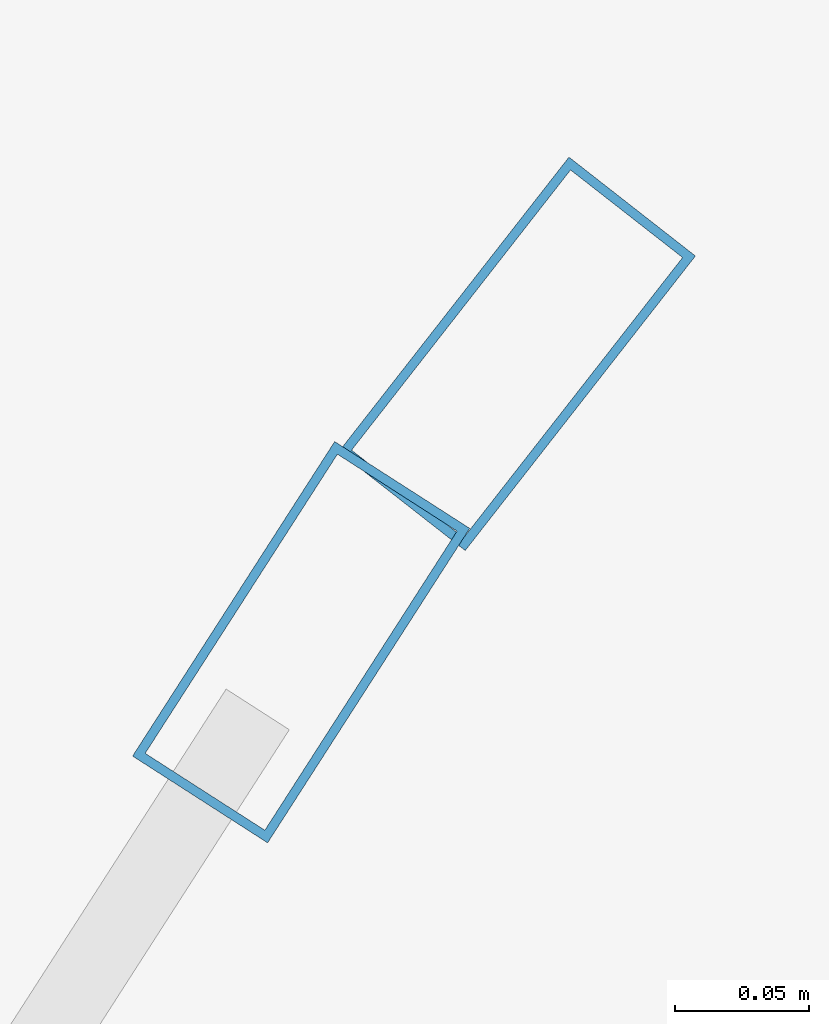
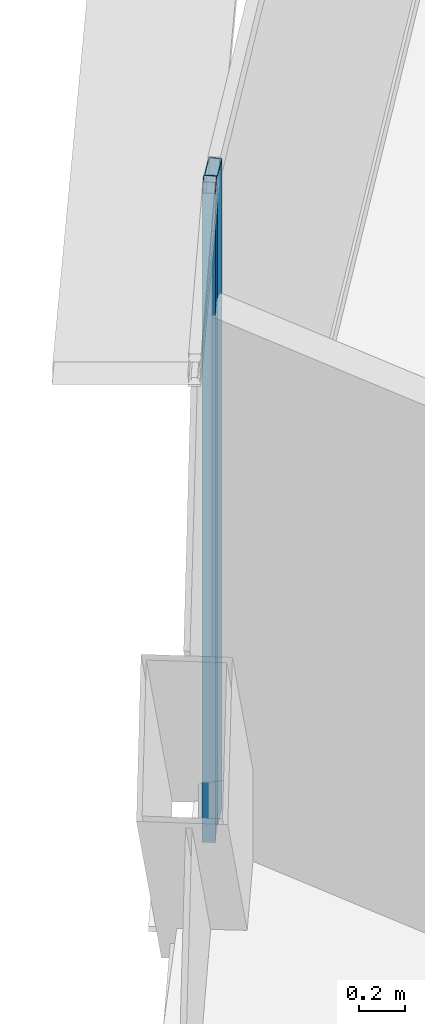
# One storey, part 17 of 37: 2 members, 2 elements without a shape of their own.
"""IFC4 building model written with IfcOpenShell, lengths in metres."""

from ifc_helpers import new_model, si_unit, direction, frame, origin, origin_2d, place, context, subcontext, project, spatial, hollow_rectangle, extrude, source, transform, mapped, material, layer, layer_set, material_profile, profile_set, type_object, element, aggregate, save


model = new_model("IFC4")

# Units and contexts
model_context = context("Model", 3, precision=1e-05, world=origin(), true_north=direction((0.0, 1.0)))
body_context = subcontext(model_context, "Body", "Model", "MODEL_VIEW")
ifc_project = project(units=[si_unit("LENGTHUNIT", "METRE"), si_unit("AREAUNIT", "SQUARE_METRE"), si_unit("VOLUMEUNIT", "CUBIC_METRE"), si_unit("PLANEANGLEUNIT", "RADIAN"), si_unit("MASSUNIT", "GRAM", prefix="KILO"), si_unit("THERMODYNAMICTEMPERATUREUNIT", "KELVIN"), si_unit("POWERUNIT", "WATT")], contexts=[model_context])

# Site, building, storey
site_placement = place(None, origin())
site = spatial("IfcSite", under=ifc_project, at=site_placement, CompositionType="ELEMENT")
building_placement = place(site_placement, origin())
building = spatial("IfcBuilding", under=site, at=building_placement, Name="Yunzhuo Pagoda Commons", CompositionType="ELEMENT")
storey_placement = place(building_placement, frame((0.0, 0.0, 240.800048828125)))
storey = spatial("IfcBuildingStorey", under=building, at=storey_placement, Name="L60", CompositionType="ELEMENT", Elevation=240.800048828125)

# Curtain wall, member
ifc_material = material(Name="Anodized aluminium 6063-T6", Category="aluminium")
ifc_layer = layer(ifc_material, 0.139892578125)
ifc_layer_set = layer_set([ifc_layer], Name="Anodized aluminium 6063-T6")
curtain_wall_type = type_object("IfcCurtainWallType", Name="CW-HI High-Zone Ribbon Curtain Wall", PredefinedType="NOTDEFINED", material=ifc_layer_set)
curtain_wall_1_placement = place(storey_placement, origin())
curtain_wall_1 = element("IfcCurtainWall", 1, at=curtain_wall_1_placement, inside=storey, type_object=curtain_wall_type, Name="L60 curtain wall CW-L60-F3B2", PredefinedType="NOTDEFINED")
ifc_material_profile = material_profile(ifc_material, hollow_rectangle(XDim=0.06005859375, YDim=0.139892578125, WallThickness=0.00341796875, at=origin_2d()), Name="Anodized aluminium 6063-T6")
ifc_profile_set = profile_set([ifc_material_profile], Name="Anodized aluminium 6063-T6")
member_type = type_object("IfcMemberType", Name="CW-HI-M Mullion RHS 140x60x3.5", PredefinedType="MULLION", material=ifc_profile_set)
shared_shape = source(origin(), body_context, "Body", "SweptSolid", [
    extrude(hollow_rectangle(XDim=0.06005859375, YDim=0.139892578125, WallThickness=0.00341796875, at=origin_2d()), origin(), (0.0, 0.0, 1.0), 3.47021484375),
])
member_1_placement = place(storey_placement, frame((33.50390625, 66.197265625, 0.0), z_axis=(0.0, 0.0, 1.0), x_axis=(0.841269037614, -0.540616690782, 0.0)))
member_1 = element("IfcMember", 2, at=member_1_placement, type_object=member_type, Name="CW mullion 1", PredefinedType="MULLION", context=body_context, shape_type="MappedRepresentation", body=[
    mapped(shared_shape, transform((0.0, 0.0, 0.0), scale=1.0)),
])
aggregate(curtain_wall_1, [member_1])

curtain_wall_2_placement = place(storey_placement, origin())
curtain_wall_2 = element("IfcCurtainWall", 3, at=curtain_wall_2_placement, inside=storey, type_object=curtain_wall_type, Name="L60 curtain wall CW-L60-F3B1", PredefinedType="NOTDEFINED")
member_2_placement = place(storey_placement, frame((33.584716796875, 66.30517578125, 0.0), z_axis=(0.0, 0.0, 1.0), x_axis=(0.787911077131, -0.615789034114, 0.0)))
member_2 = element("IfcMember", 4, at=member_2_placement, type_object=member_type, Name="CW mullion 2", PredefinedType="MULLION", context=body_context, shape_type="MappedRepresentation", body=[
    mapped(shared_shape, transform((0.0, 0.0, 0.0), scale=1.0)),
])
aggregate(curtain_wall_2, [member_2])

save(model, "model.ifc")
